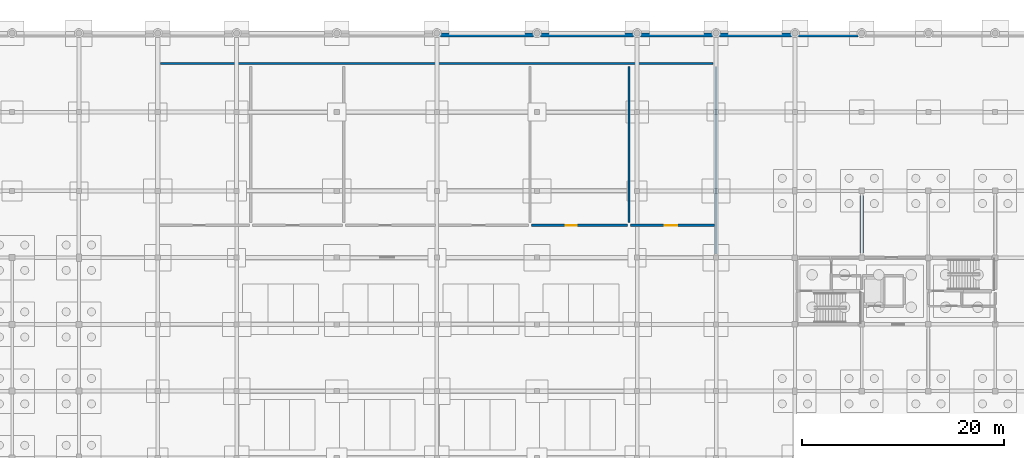
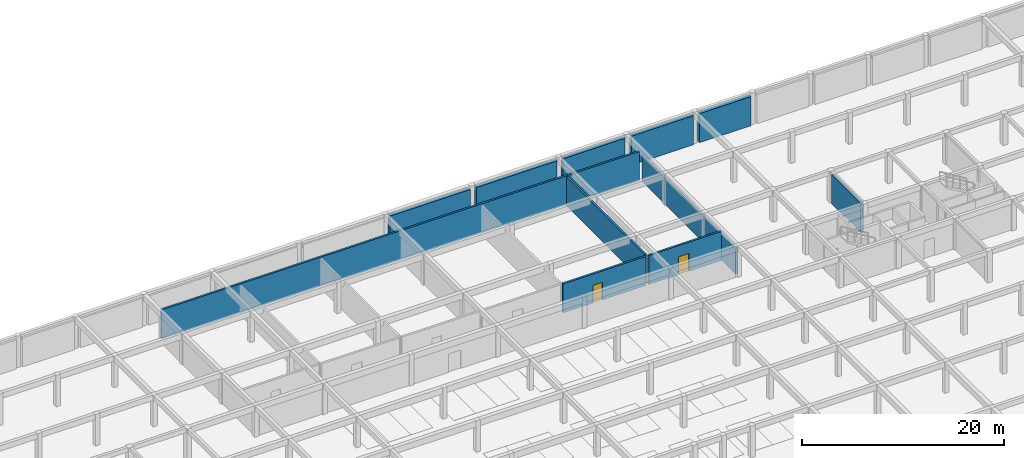
# One storey, part 29 of 37: 11 walls, 2 doors, 2 openings.
"""IFC4 building model written with IfcOpenShell, lengths in metres."""

from ifc_helpers import new_model, si_unit, direction, frame, frame_2d, origin, place, context, subcontext, project, spatial, rectangle, extrude, material, layer, layer_set, type_object, element, fill, save


model = new_model("IFC4")

# Units and contexts
model_context = context("Model", 3, precision=1e-05, world=origin(), true_north=direction((0.0, 1.0)))
body_context = subcontext(model_context, "Body", "Model", "MODEL_VIEW")
ifc_project = project(units=[si_unit("LENGTHUNIT", "METRE"), si_unit("AREAUNIT", "SQUARE_METRE"), si_unit("VOLUMEUNIT", "CUBIC_METRE"), si_unit("PLANEANGLEUNIT", "RADIAN"), si_unit("MASSUNIT", "GRAM", prefix="KILO")], contexts=[model_context])

# Site, building, storey
site_placement = place(None, origin())
site = spatial("IfcSite", under=ifc_project, at=site_placement, CompositionType="ELEMENT")
building_placement = place(site_placement, origin())
building = spatial("IfcBuilding", under=site, at=building_placement, Name="Kernevlak Ridge Housing Community", CompositionType="ELEMENT")
storey_placement = place(building_placement, frame((0.0, 0.0, -3.800048828125)))
storey = spatial("IfcBuildingStorey", under=building, at=storey_placement, Name="B1", CompositionType="ELEMENT", Elevation=-3.800048828125)

# Walls
ifc_material_1 = material(Name="Concrete C35/45", Category="concrete")
ifc_layer_1 = layer(ifc_material_1, 0.22509765625, Name="Concrete C35/45")
ifc_layer_set_1 = layer_set([ifc_layer_1], Name="Concrete C35/45")
wall_type_1 = type_object("IfcWallType", Name="PW-01", PredefinedType="STANDARD", material=ifc_layer_set_1)
wall_1_placement = place(storey_placement, frame((111.60009765625, 96.179931640625, 0.0), z_axis=(0.0, 0.0, 1.0), x_axis=(0.0, 1.0, 0.0)))
element("IfcWall", 1, at=wall_1_placement, inside=storey, type_object=wall_type_1, Name="Interior wall PW-01 WAL-INT-B1-3521", PredefinedType="STANDARD", context=body_context, shape_type="SweptSolid", body=[
    extrude(rectangle(XDim=18.5400390625, YDim=0.22509765625, at=frame_2d((9.27001953125, 0.0))), origin(), (0.0, 0.0, 1.0), 3.10009765625),
])
wall_2_placement = place(storey_placement, frame((56.679931640625, 115.0, 0.0), z_axis=(0.0, 0.0, 1.0), x_axis=(1.0, 0.0, 0.0)))
element("IfcWall", 2, at=wall_2_placement, inside=storey, type_object=wall_type_1, Name="Interior wall PW-01 WAL-INT-B1-3522", PredefinedType="STANDARD", context=body_context, shape_type="SweptSolid", body=[
    extrude(rectangle(XDim=54.64013671875, YDim=0.22509765625, at=frame_2d((27.320068359375, 0.0))), origin(), (0.0, 0.0, 1.0), 3.52001953125),
])

# Wall, opening, door
wall_3_placement = place(storey_placement, frame((93.35009765625, 99.0, 0.0), z_axis=(0.0, 0.0, 1.0), x_axis=(1.0, 0.0, 0.0)))
wall_3 = element("IfcWall", 3, at=wall_3_placement, inside=storey, type_object=wall_type_1, Name="Interior wall PW-01 WAL-INT-B1-3531", PredefinedType="STANDARD", context=body_context, shape_type="SweptSolid", body=[
    extrude(rectangle(XDim=9.5, YDim=0.22509765625, at=frame_2d((4.75, 0.0))), origin(), (0.0, 0.0, 1.0), 3.52001953125),
])
opening_1_placement = place(wall_3_placement, frame((3.39990234375, 0.0, 0.0)))
opening_1 = element("IfcOpeningElement", 4, at=opening_1_placement, cuts=wall_3, Name="Opening E789", PredefinedType="OPENING", context=body_context, shape_type="SweptSolid", body=[
    extrude(rectangle(XDim=1.10009765625, YDim=2.14990234375, at=frame_2d((0.550048828125, 1.074951171875))), frame((0.0, 0.12255859375, 0.0), z_axis=(0.0, -1.0, 0.0), x_axis=(1.0, 0.0, 0.0)), (0.0, 0.0, 1.0), 0.2451171875),
])
ifc_material_2 = material(Name="Fire-rated sheet steel leaf", Category="steel")
door_type_1 = type_object("IfcDoorType", Name="DT-06", OperationType="NOTDEFINED", PredefinedType="DOOR", material=ifc_material_2)
door_1_placement = place(opening_1_placement, origin())
door_1 = element("IfcDoor", 5, at=door_1_placement, inside=storey, type_object=door_type_1, Name="HVAC Plant Room fire door E789", OperationType="SINGLE_SWING_RIGHT", OverallHeight=2.14990234375, OverallWidth=1.10009765625, PredefinedType="DOOR", context=body_context, shape_type="SweptSolid", body=[
    extrude(rectangle(XDim=1.10009765625, YDim=2.14990234375, at=frame_2d((0.550048828125, 1.074951171875))), frame((0.0, 0.02490234375, 0.0), z_axis=(0.0, -1.0, 0.0), x_axis=(1.0, 0.0, 0.0)), (0.0, 0.0, 1.0), 0.050048828125),
])
fill(opening_1, door_1)

# Wall
wall_4_placement = place(storey_placement, frame((103.0, 99.280029296875, 0.0), z_axis=(0.0, 0.0, 1.0), x_axis=(0.0, 1.0, 0.0)))
element("IfcWall", 6, at=wall_4_placement, inside=storey, type_object=wall_type_1, Name="Interior wall PW-01 WAL-INT-B1-3532", PredefinedType="STANDARD", context=body_context, shape_type="SweptSolid", body=[
    extrude(rectangle(XDim=15.43994140625, YDim=0.22509765625, at=frame_2d((7.719970703125, 0.0))), origin(), (0.0, 0.0, 1.0), 3.52001953125),
])

# Wall, opening, door
wall_5_placement = place(storey_placement, frame((103.14990234375, 99.0, 0.0), z_axis=(0.0, 0.0, 1.0), x_axis=(1.0, 0.0, 0.0)))
wall_5 = element("IfcWall", 7, at=wall_5_placement, inside=storey, type_object=wall_type_1, Name="Interior wall PW-01 WAL-INT-B1-3533", PredefinedType="STANDARD", context=body_context, shape_type="SweptSolid", body=[
    extrude(rectangle(XDim=8.300048828125, YDim=0.22509765625, at=frame_2d((4.14990234375, 0.0))), origin(), (0.0, 0.0, 1.0), 3.52001953125),
])
opening_2_placement = place(wall_5_placement, frame((3.39990234375, 0.0, 0.0)))
opening_2 = element("IfcOpeningElement", 8, at=opening_2_placement, cuts=wall_5, Name="Opening E790", PredefinedType="OPENING", context=body_context, shape_type="SweptSolid", body=[
    extrude(rectangle(XDim=1.199951171875, YDim=2.179931640625, at=frame_2d((0.60009765625, 1.08984375))), frame((0.0, 0.12255859375, 0.0), z_axis=(0.0, -1.0, 0.0), x_axis=(1.0, 0.0, 0.0)), (0.0, 0.0, 1.0), 0.2451171875),
])
door_type_2 = type_object("IfcDoorType", Name="DT-17", OperationType="NOTDEFINED", PredefinedType="DOOR", material=ifc_material_2)
door_2_placement = place(opening_2_placement, origin())
door_2 = element("IfcDoor", 9, at=door_2_placement, inside=storey, type_object=door_type_2, Name="Telecoms and Server Room fire door E790", OperationType="SINGLE_SWING_LEFT", OverallHeight=2.179931640625, OverallWidth=1.199951171875, PredefinedType="DOOR", context=body_context, shape_type="SweptSolid", body=[
    extrude(rectangle(XDim=1.199951171875, YDim=2.179931640625, at=frame_2d((0.60009765625, 1.08984375))), frame((0.0, 0.02490234375, 0.0), z_axis=(0.0, -1.0, 0.0), x_axis=(1.0, 0.0, 0.0)), (0.0, 0.0, 1.0), 0.050048828125),
])
fill(opening_2, door_2)

# Walls
ifc_material_3 = material(Name="Concrete C40/50", Category="concrete")
ifc_layer_2 = layer(ifc_material_3, 0.39990234375, Name="Concrete C40/50")
ifc_layer_set_2 = layer_set([ifc_layer_2], Name="Concrete C40/50")
wall_type_2 = type_object("IfcWallType", Name="RW-01", PredefinedType="USERDEFINED", material=ifc_layer_set_2)
for number, where, z_axis, x_axis, name in (
    (10, (84.35009765625, 117.800048828125, 0.0), (0.0, 0.0, 1.0), (1.0, 0.0, 0.0), "Basement retaining wall RW-01 34"),
    (11, (94.25, 117.800048828125, 0.0), (0.0, 0.0, 1.0), (1.0, 0.0, 0.0), "Basement retaining wall RW-01 35"),
):
    element("IfcWall", number, at=place(storey_placement, frame(where, z_axis=z_axis, x_axis=x_axis)), inside=storey, type_object=wall_type_2, Name=name, ObjectType="RETAININGWALL", PredefinedType="USERDEFINED", context=body_context, shape_type="SweptSolid", body=[
        extrude(rectangle(XDim=9.199951171875, YDim=0.39990234375, at=frame_2d((4.60009765625, 0.0))), origin(), (0.0, 0.0, 1.0), 3.52001953125),
    ])
for number, where, z_axis, x_axis, name in (
    (12, (104.14990234375, 117.800048828125, 0.0), (0.0, 0.0, 1.0), (1.0, 0.0, 0.0), "Basement retaining wall RW-01 36"),
    (13, (111.949951171875, 117.800048828125, 0.0), (0.0, 0.0, 1.0), (1.0, 0.0, 0.0), "Basement retaining wall RW-01 37"),
):
    element("IfcWall", number, at=place(storey_placement, frame(where, z_axis=z_axis, x_axis=x_axis)), inside=storey, type_object=wall_type_2, Name=name, ObjectType="RETAININGWALL", PredefinedType="USERDEFINED", context=body_context, shape_type="SweptSolid", body=[
        extrude(rectangle(XDim=7.10009765625, YDim=0.39990234375, at=frame_2d((3.550048828125, 0.0))), origin(), (0.0, 0.0, 1.0), 3.52001953125),
    ])
wall_6_placement = place(storey_placement, frame((119.75, 117.800048828125, 0.0), z_axis=(0.0, 0.0, 1.0), x_axis=(1.0, 0.0, 0.0)))
element("IfcWall", 14, at=wall_6_placement, inside=storey, type_object=wall_type_2, Name="Basement retaining wall RW-01 38", ObjectType="RETAININGWALL", PredefinedType="USERDEFINED", context=body_context, shape_type="SweptSolid", body=[
    extrude(rectangle(XDim=5.89990234375, YDim=0.39990234375, at=frame_2d((2.949951171875, 0.0))), origin(), (0.0, 0.0, 1.0), 3.52001953125),
])
ifc_layer_3 = layer(ifc_material_3, 0.35009765625, Name="Concrete C40/50")
ifc_layer_set_3 = layer_set([ifc_layer_3], Name="Concrete C40/50")
wall_type_3 = type_object("IfcWallType", Name="SW-01", PredefinedType="SHEAR", material=ifc_layer_set_3)
wall_7_placement = place(storey_placement, frame((126.0, 96.25, 0.0), z_axis=(0.0, 0.0, 1.0), x_axis=(0.0, 1.0, 0.0)))
element("IfcWall", 15, at=wall_7_placement, inside=storey, type_object=wall_type_3, Name="Shear wall SW-01 Block B B1 209", PredefinedType="SHEAR", context=body_context, shape_type="SweptSolid", body=[
    extrude(rectangle(XDim=5.699951171875, YDim=0.35009765625, at=frame_2d((2.85009765625, 0.0))), origin(), (0.0, 0.0, 1.0), 3.52001953125),
])

save(model, "model.ifc")
